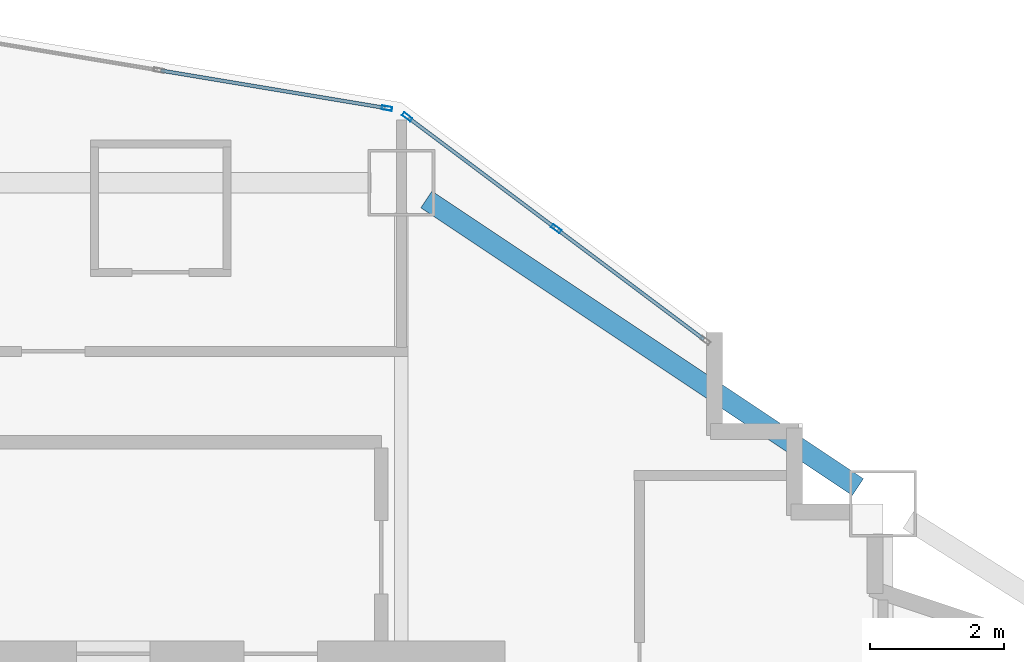
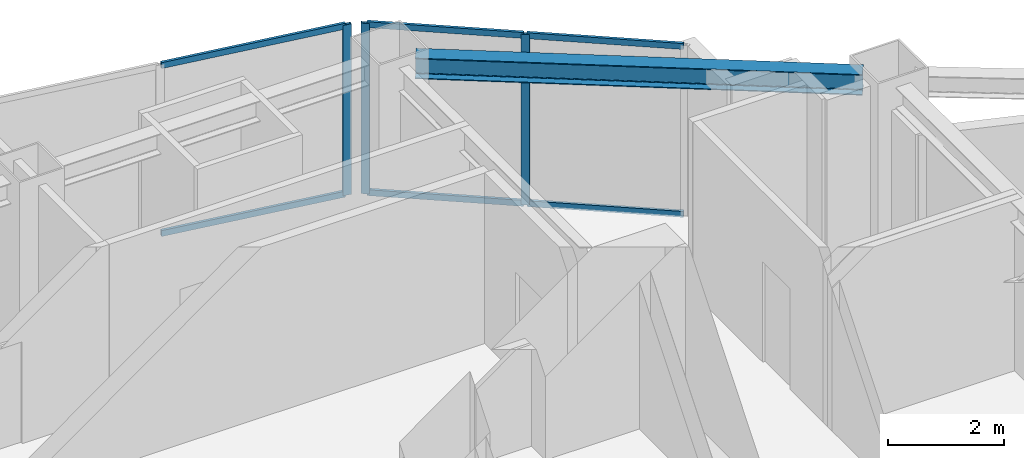
# One storey, part 3 of 14: 9 members, 1 beam, 2 elements without a shape of their own.
"""IFC4 building model written with IfcOpenShell, lengths in metres."""

from ifc_helpers import new_model, si_unit, direction, frame, origin, origin_2d, place, context, subcontext, project, spatial, hollow_rectangle, i_section, extrude, material, layer, layer_set, material_profile, profile_set, type_object, element, aggregate, save


model = new_model("IFC4")

# Units and contexts
model_context = context("Model", 3, precision=1e-05, world=origin(), true_north=direction((0.0, 1.0)))
body_context = subcontext(model_context, "Body", "Model", "MODEL_VIEW")
ifc_project = project(units=[si_unit("LENGTHUNIT", "METRE"), si_unit("AREAUNIT", "SQUARE_METRE"), si_unit("VOLUMEUNIT", "CUBIC_METRE"), si_unit("PLANEANGLEUNIT", "RADIAN"), si_unit("MASSUNIT", "GRAM", prefix="KILO")], contexts=[model_context])

# Site, building, storey
site_placement = place(None, origin())
site = spatial("IfcSite", under=ifc_project, at=site_placement, CompositionType="ELEMENT")
building_placement = place(site_placement, origin())
building = spatial("IfcBuilding", under=site, at=building_placement, Name="Haolan Belvedere Tower", CompositionType="ELEMENT")
storey_placement = place(building_placement, frame((0.0, 0.0, 121.199951171875)))
storey = spatial("IfcBuildingStorey", under=building, at=storey_placement, Name="L30", CompositionType="ELEMENT", Elevation=121.199951171875)

# Beam
ifc_material_1 = material(Name="Steel Q355B", Category="steel")
ifc_material_profile_1 = material_profile(ifc_material_1, i_section(OverallWidth=0.300048828125, OverallDepth=0.43994140625, WebThickness=0.010986328125, FlangeThickness=0.01806640625, FilletRadius=0.02392578125, at=origin_2d()), Name="Steel Q355B")
ifc_profile_set_1 = profile_set([ifc_material_profile_1], Name="Steel Q355B")
beam_type = type_object("IfcBeamType", Name="BM-HM440x300x11x18", PredefinedType="SPANDREL", material=ifc_profile_set_1)
beam_placement = place(storey_placement, frame((45.974365234375, 50.150390625, 3.380126953125), z_axis=(0.832050294338, -0.554700196225, 0.0), x_axis=(0.554700196225, 0.832050294338, 0.0)))
element("IfcBeam", 1, at=beam_placement, inside=storey, type_object=beam_type, Name="L30 spandrel girder MC-T3-N2-MC-T3-NE", PredefinedType="SPANDREL", context=body_context, shape_type="SweptSolid", body=[
    extrude(i_section(OverallWidth=0.300048828125, OverallDepth=0.43994140625, WebThickness=0.010986328125, FlangeThickness=0.01806640625, FilletRadius=0.02392578125, at=origin_2d()), origin(), (0.0, 0.0, 1.0), 7.75341796875),
])

# Curtain wall, members
ifc_material_2 = material(Name="Anodised champagne-silver aluminium 6063-T6 and Low-E glass", Category="aluminium")
ifc_layer = layer(ifc_material_2, 0.155029296875, Name="Anodised champagne-silver aluminium 6063-T6 and Low-E glass")
ifc_layer_set = layer_set([ifc_layer], Name="Anodised champagne-silver aluminium 6063-T6 and Low-E glass")
curtain_wall_type = type_object("IfcCurtainWallType", Name="CW-SYS-03", PredefinedType="NOTDEFINED", material=ifc_layer_set)
curtain_wall_1_placement = place(storey_placement, origin())
curtain_wall_1 = element("IfcCurtainWall", 2, at=curtain_wall_1_placement, inside=storey, type_object=curtain_wall_type, Name="L30 CW-SYS-03 ribbon curtain wall 26.1", PredefinedType="NOTDEFINED")
ifc_material_3 = material(Name="Anodised aluminium 6063-T6", Category="aluminium")
ifc_material_profile_2 = material_profile(ifc_material_3, hollow_rectangle(XDim=0.05810546875, YDim=0.155029296875, WallThickness=0.00390625, at=origin_2d()), Name="Anodised aluminium 6063-T6")
ifc_profile_set_2 = profile_set([ifc_material_profile_2], Name="Anodised aluminium 6063-T6")
member_type_1 = type_object("IfcMemberType", Name="CW-SYS-03-MUL", PredefinedType="MULLION", material=ifc_profile_set_2)
member_1_placement = place(storey_placement, frame((47.915771484375, 49.713134765625, 0.0), z_axis=(0.0, 0.0, 1.0), x_axis=(-0.599994316874, -0.800004262313, 0.0)))
member_1 = element("IfcMember", 3, at=member_1_placement, type_object=member_type_1, Name="CW-03 mullion 2", PredefinedType="MULLION", context=body_context, shape_type="SweptSolid", body=[
    extrude(hollow_rectangle(XDim=0.05810546875, YDim=0.155029296875, WallThickness=0.00390625, at=origin_2d()), origin(), (0.0, 0.0, 1.0), 3.60009765625),
])
member_2_placement = place(storey_placement, frame((45.6865234375, 51.385009765625, 0.0), z_axis=(0.0, 0.0, 1.0), x_axis=(-0.599994316874, -0.800004262313, 0.0)))
member_2 = element("IfcMember", 4, at=member_2_placement, type_object=member_type_1, Name="CW-03 mullion 3", PredefinedType="MULLION", context=body_context, shape_type="SweptSolid", body=[
    extrude(hollow_rectangle(XDim=0.05810546875, YDim=0.155029296875, WallThickness=0.00390625, at=origin_2d()), origin(), (0.0, 0.0, 1.0), 3.60009765625),
])

# Curtain wall, member
curtain_wall_2_placement = place(storey_placement, origin())
curtain_wall_2 = element("IfcCurtainWall", 5, at=curtain_wall_2_placement, inside=storey, type_object=curtain_wall_type, Name="L30 CW-SYS-03 ribbon curtain wall 27.1", PredefinedType="NOTDEFINED")
member_3_placement = place(storey_placement, frame((45.384765625, 51.51416015625, 0.0), z_axis=(0.0, 0.0, 1.0), x_axis=(-0.16440364043, -0.9863931483, 0.0)))
member_3 = element("IfcMember", 6, at=member_3_placement, type_object=member_type_1, Name="CW-03 mullion 1", PredefinedType="MULLION", context=body_context, shape_type="SweptSolid", body=[
    extrude(hollow_rectangle(XDim=0.05810546875, YDim=0.155029296875, WallThickness=0.00390625, at=origin_2d()), origin(), (0.0, 0.0, 1.0), 3.60009765625),
])

# Member
ifc_material_profile_3 = material_profile(ifc_material_3, hollow_rectangle(XDim=0.053955078125, YDim=0.125, WallThickness=0.00390625, at=origin_2d()), Name="Anodised aluminium 6063-T6")
ifc_profile_set_3 = profile_set([ifc_material_profile_3], Name="Anodised aluminium 6063-T6")
member_type_2 = type_object("IfcMemberType", Name="CW-SYS-03-TRN", PredefinedType="USERDEFINED", material=ifc_profile_set_3)
member_4_placement = place(storey_placement, frame((50.12158203125, 48.058837890625, 0.027099609375), z_axis=(-0.8, 0.6, 0.0), x_axis=(-0.6, -0.8, 0.0)))
member_4 = element("IfcMember", 7, at=member_4_placement, type_object=member_type_2, Name="CW-03 transom 1.1", ObjectType="TRANSOM", PredefinedType="USERDEFINED", context=body_context, shape_type="SweptSolid", body=[
    extrude(hollow_rectangle(XDim=0.053955078125, YDim=0.125, WallThickness=0.00390625, at=origin_2d()), origin(), (0.0, 0.0, 1.0), 2.728271484375),
])

member_5_placement = place(storey_placement, frame((50.12158203125, 48.058837890625, 3.572998046875), z_axis=(-0.8, 0.6, 0.0), x_axis=(-0.6, -0.8, 0.0)))
member_5 = element("IfcMember", 8, at=member_5_placement, type_object=member_type_2, Name="CW-03 transom 1.2", ObjectType="TRANSOM", PredefinedType="USERDEFINED", context=body_context, shape_type="SweptSolid", body=[
    extrude(hollow_rectangle(XDim=0.053955078125, YDim=0.125, WallThickness=0.00390625, at=origin_2d()), origin(), (0.0, 0.0, 1.0), 2.728271484375),
])

member_6_placement = place(storey_placement, frame((47.892578125, 49.730712890625, 0.027099609375), z_axis=(-0.800032211306, 0.59995704919, 0.0), x_axis=(-0.59995704919, -0.800032211306, 0.0)))
member_6 = element("IfcMember", 9, at=member_6_placement, type_object=member_type_2, Name="CW-03 transom 2.1", ObjectType="TRANSOM", PredefinedType="USERDEFINED", context=body_context, shape_type="SweptSolid", body=[
    extrude(hollow_rectangle(XDim=0.053955078125, YDim=0.125, WallThickness=0.00390625, at=origin_2d()), origin(), (0.0, 0.0, 1.0), 2.728515625),
])

member_7_placement = place(storey_placement, frame((47.892578125, 49.730712890625, 3.572998046875), z_axis=(-0.800032211306, 0.59995704919, 0.0), x_axis=(-0.59995704919, -0.800032211306, 0.0)))
member_7 = element("IfcMember", 10, at=member_7_placement, type_object=member_type_2, Name="CW-03 transom 2.2", ObjectType="TRANSOM", PredefinedType="USERDEFINED", context=body_context, shape_type="SweptSolid", body=[
    extrude(hollow_rectangle(XDim=0.053955078125, YDim=0.125, WallThickness=0.00390625, at=origin_2d()), origin(), (0.0, 0.0, 1.0), 2.728515625),
])

aggregate(curtain_wall_1, [member_1, member_2, member_4, member_5, member_6, member_7])

member_8_placement = place(storey_placement, frame((45.356201171875, 51.51904296875, 0.027099609375), z_axis=(-0.986395865591, 0.16438733633, 0.0), x_axis=(-0.16438733633, -0.986395865591, 0.0)))
member_8 = element("IfcMember", 11, at=member_8_placement, type_object=member_type_2, Name="CW-03 transom 1.1", ObjectType="TRANSOM", PredefinedType="USERDEFINED", context=body_context, shape_type="SweptSolid", body=[
    extrude(hollow_rectangle(XDim=0.053955078125, YDim=0.125, WallThickness=0.00390625, at=origin_2d()), origin(), (0.0, 0.0, 1.0), 3.39794921875),
])

member_9_placement = place(storey_placement, frame((45.356201171875, 51.51904296875, 3.572998046875), z_axis=(-0.986395865591, 0.16438733633, 0.0), x_axis=(-0.16438733633, -0.986395865591, 0.0)))
member_9 = element("IfcMember", 12, at=member_9_placement, type_object=member_type_2, Name="CW-03 transom 1.2", ObjectType="TRANSOM", PredefinedType="USERDEFINED", context=body_context, shape_type="SweptSolid", body=[
    extrude(hollow_rectangle(XDim=0.053955078125, YDim=0.125, WallThickness=0.00390625, at=origin_2d()), origin(), (0.0, 0.0, 1.0), 3.39794921875),
])

aggregate(curtain_wall_2, [member_3, member_8, member_9])

save(model, "model.ifc")
